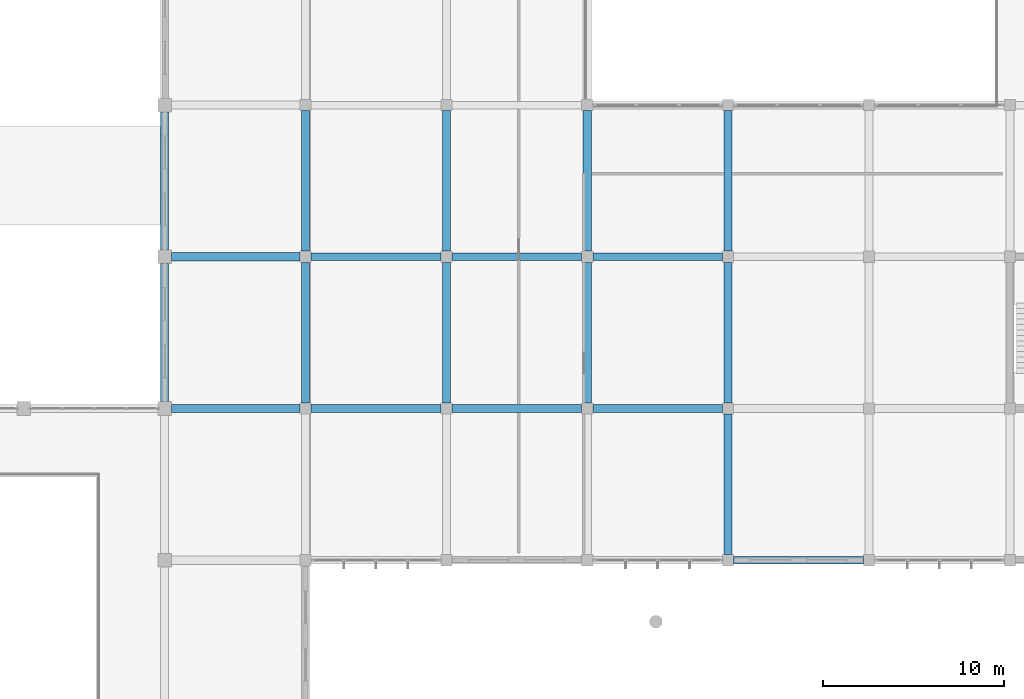
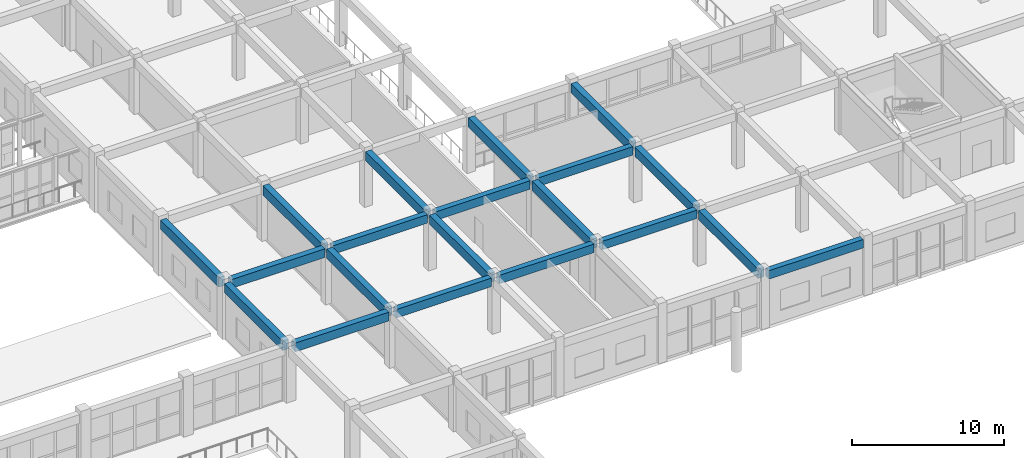
# One storey, part 88 of 167: 20 beams.
"""IFC4 building model written with IfcOpenShell, lengths in metres."""

from ifc_helpers import new_model, si_unit, direction, frame, origin, origin_2d, place, context, subcontext, project, spatial, rectangle, extrude, material, material_profile, profile_set, type_object, element, save


model = new_model("IFC4")

# Units and contexts
model_context = context("Model", 3, precision=1e-05, world=origin(), true_north=direction((0.0, 1.0)))
body_context = subcontext(model_context, "Body", "Model", "MODEL_VIEW")
ifc_project = project(units=[si_unit("LENGTHUNIT", "METRE"), si_unit("AREAUNIT", "SQUARE_METRE"), si_unit("VOLUMEUNIT", "CUBIC_METRE"), si_unit("PLANEANGLEUNIT", "RADIAN"), si_unit("MASSUNIT", "GRAM", prefix="KILO")], contexts=[model_context])

# Site, building, storey
site_placement = place(None, origin())
site = spatial("IfcSite", under=ifc_project, at=site_placement, CompositionType="ELEMENT")
building_placement = place(site_placement, origin())
building = spatial("IfcBuilding", under=site, at=building_placement, Name="Zizhar Promenade General Hospital", CompositionType="ELEMENT")
storey_placement = place(building_placement, frame((0.0, 0.0, 9.60009765625)))
storey = spatial("IfcBuildingStorey", under=building, at=storey_placement, Name="L02", CompositionType="ELEMENT", Elevation=9.60009765625)

# Beams
ifc_material_1 = material(Name="Concrete C35/45", Category="concrete")
ifc_material_profile_1 = material_profile(ifc_material_1, rectangle(XDim=0.419921875, YDim=0.679931640625, at=origin_2d()))
ifc_profile_set_1 = profile_set([ifc_material_profile_1], Name="Concrete C35/45")
beam_type_1 = type_object("IfcBeamType", Name="BM-RC-420x680", PredefinedType="JOIST", material=ifc_profile_set_1)
for number, where, z_axis, x_axis, name in (
    (1, (132.909912109375, 50.39990234375, 4.1298828125), (1.0, 0.0, 0.0), (0.0, 1.0, 0.0), "Grid Beam X L02 (17-6)"),
    (2, (132.909912109375, 58.800048828125, 4.1298828125), (1.0, 0.0, 0.0), (0.0, 1.0, 0.0), "Grid Beam X L02 (17-7)"),
):
    element("IfcBeam", number, at=place(storey_placement, frame(where, z_axis=z_axis, x_axis=x_axis)), inside=storey, type_object=beam_type_1, Name=name, PredefinedType="JOIST", context=body_context, shape_type="SweptSolid", body=[
        extrude(rectangle(XDim=0.419921875, YDim=0.679931640625, at=origin_2d()), origin(), (0.0, 0.0, 1.0), 7.18017578125),
    ])
for number, where, z_axis, x_axis, name in (
    (3, (140.7099609375, 50.39990234375, 4.1298828125), (1.0, 0.0, 0.0), (0.0, 1.0, 0.0), "Grid Beam X L02 (18-6)"),
    (4, (140.7099609375, 58.800048828125, 4.1298828125), (1.0, 0.0, 0.0), (0.0, 1.0, 0.0), "Grid Beam X L02 (18-7)"),
    (5, (148.510009765625, 50.39990234375, 4.1298828125), (1.0, 0.0, 0.0), (0.0, 1.0, 0.0), "Grid Beam X L02 (19-6)"),
    (6, (148.510009765625, 58.800048828125, 4.1298828125), (1.0, 0.0, 0.0), (0.0, 1.0, 0.0), "Grid Beam X L02 (19-7)"),
    (7, (156.31005859375, 42.0, 4.1298828125), (1.0, 0.0, 0.0), (0.0, 1.0, 0.0), "Grid Beam X L02 (20-5)"),
):
    element("IfcBeam", number, at=place(storey_placement, frame(where, z_axis=z_axis, x_axis=x_axis)), inside=storey, type_object=beam_type_1, Name=name, PredefinedType="JOIST", context=body_context, shape_type="SweptSolid", body=[
        extrude(rectangle(XDim=0.419921875, YDim=0.679931640625, at=origin_2d()), origin(), (0.0, 0.0, 1.0), 7.179931640625),
    ])
ifc_material_2 = material(Name="Concrete C35/45", Category="concrete")
ifc_material_profile_2 = material_profile(ifc_material_2, rectangle(XDim=0.449951171875, YDim=0.699951171875, at=origin_2d()))
ifc_profile_set_2 = profile_set([ifc_material_profile_2], Name="Concrete C35/45")
beam_type_2 = type_object("IfcBeamType", Name="BM-RC-450x700", PredefinedType="BEAM", material=ifc_profile_set_2)
for number, where, z_axis, x_axis, name in (
    (8, (125.175048828125, 50.39990234375, 4.119873046875), (1.0, 0.0, 0.0), (0.0, 1.0, 0.0), "Grid Beam X L02 (16-6)"),
    (9, (125.175048828125, 58.800048828125, 4.119873046875), (1.0, 0.0, 0.0), (0.0, 1.0, 0.0), "Grid Beam X L02 (16-7)"),
):
    element("IfcBeam", number, at=place(storey_placement, frame(where, z_axis=z_axis, x_axis=x_axis)), inside=storey, type_object=beam_type_2, Name=name, PredefinedType="BEAM", context=body_context, shape_type="SweptSolid", body=[
        extrude(rectangle(XDim=0.449951171875, YDim=0.699951171875, at=origin_2d()), origin(), (0.0, 0.0, 1.0), 7.114990234375),
    ])
ifc_material_3 = material(Name="Concrete C35/45", Category="concrete")
ifc_material_profile_3 = material_profile(ifc_material_3, rectangle(XDim=0.449951171875, YDim=0.75, at=origin_2d()))
ifc_profile_set_3 = profile_set([ifc_material_profile_3], Name="Concrete C35/45")
beam_type_3 = type_object("IfcBeamType", Name="BM-RC-450x750", PredefinedType="BEAM", material=ifc_profile_set_3)
beam_1_placement = place(storey_placement, frame((124.800048828125, 50.77490234375, 4.094970703125), z_axis=(0.0, 1.0, 0.0), x_axis=(-1.0, 0.0, 0.0)))
element("IfcBeam", 10, at=beam_1_placement, inside=storey, type_object=beam_type_3, Name="Grid Beam Y L02 (16-6)", PredefinedType="BEAM", context=body_context, shape_type="SweptSolid", body=[
    extrude(rectangle(XDim=0.449951171875, YDim=0.75, at=origin_2d()), origin(), (0.0, 0.0, 1.0), 7.650146484375),
])
beam_2_placement = place(storey_placement, frame((124.800048828125, 59.175048828125, 4.094970703125), z_axis=(0.0, 1.0, 0.0), x_axis=(-1.0, 0.0, 0.0)))
element("IfcBeam", 11, at=beam_2_placement, inside=storey, type_object=beam_type_3, Name="Grid Beam Y L02 (16-7)", PredefinedType="BEAM", context=body_context, shape_type="SweptSolid", body=[
    extrude(rectangle(XDim=0.449951171875, YDim=0.75, at=origin_2d()), origin(), (0.0, 0.0, 1.0), 7.64990234375),
])
beam_3_placement = place(storey_placement, frame((132.60009765625, 50.7099609375, 4.094970703125), z_axis=(0.0, 1.0, 0.0), x_axis=(-1.0, 0.0, 0.0)))
element("IfcBeam", 12, at=beam_3_placement, inside=storey, type_object=beam_type_3, Name="Grid Beam Y L02 (17-6)", PredefinedType="BEAM", context=body_context, shape_type="SweptSolid", body=[
    extrude(rectangle(XDim=0.449951171875, YDim=0.75, at=origin_2d()), origin(), (0.0, 0.0, 1.0), 7.780029296875),
])
beam_4_placement = place(storey_placement, frame((132.60009765625, 59.110107421875, 4.094970703125), z_axis=(0.0, 1.0, 0.0), x_axis=(-1.0, 0.0, 0.0)))
element("IfcBeam", 13, at=beam_4_placement, inside=storey, type_object=beam_type_3, Name="Grid Beam Y L02 (17-7)", PredefinedType="BEAM", context=body_context, shape_type="SweptSolid", body=[
    extrude(rectangle(XDim=0.449951171875, YDim=0.75, at=origin_2d()), origin(), (0.0, 0.0, 1.0), 7.77978515625),
])
beam_5_placement = place(storey_placement, frame((140.39990234375, 50.7099609375, 4.094970703125), z_axis=(0.0, 1.0, 0.0), x_axis=(-1.0, 0.0, 0.0)))
element("IfcBeam", 14, at=beam_5_placement, inside=storey, type_object=beam_type_3, Name="Grid Beam Y L02 (18-6)", PredefinedType="BEAM", context=body_context, shape_type="SweptSolid", body=[
    extrude(rectangle(XDim=0.449951171875, YDim=0.75, at=origin_2d()), origin(), (0.0, 0.0, 1.0), 7.780029296875),
])
beam_6_placement = place(storey_placement, frame((140.39990234375, 59.110107421875, 4.094970703125), z_axis=(0.0, 1.0, 0.0), x_axis=(-1.0, 0.0, 0.0)))
element("IfcBeam", 15, at=beam_6_placement, inside=storey, type_object=beam_type_3, Name="Grid Beam Y L02 (18-7)", PredefinedType="BEAM", context=body_context, shape_type="SweptSolid", body=[
    extrude(rectangle(XDim=0.449951171875, YDim=0.75, at=origin_2d()), origin(), (0.0, 0.0, 1.0), 7.77978515625),
])
beam_7_placement = place(storey_placement, frame((148.199951171875, 50.7099609375, 4.094970703125), z_axis=(0.0, 1.0, 0.0), x_axis=(-1.0, 0.0, 0.0)))
element("IfcBeam", 16, at=beam_7_placement, inside=storey, type_object=beam_type_3, Name="Grid Beam Y L02 (19-6)", PredefinedType="BEAM", context=body_context, shape_type="SweptSolid", body=[
    extrude(rectangle(XDim=0.449951171875, YDim=0.75, at=origin_2d()), origin(), (0.0, 0.0, 1.0), 7.780029296875),
])
beam_8_placement = place(storey_placement, frame((148.199951171875, 59.110107421875, 4.094970703125), z_axis=(0.0, 1.0, 0.0), x_axis=(-1.0, 0.0, 0.0)))
element("IfcBeam", 17, at=beam_8_placement, inside=storey, type_object=beam_type_3, Name="Grid Beam Y L02 (19-7)", PredefinedType="BEAM", context=body_context, shape_type="SweptSolid", body=[
    extrude(rectangle(XDim=0.449951171875, YDim=0.75, at=origin_2d()), origin(), (0.0, 0.0, 1.0), 7.77978515625),
])
for number, where, z_axis, x_axis, name in (
    (18, (156.0, 42.31005859375, 4.094970703125), (0.0, 1.0, 0.0), (-1.0, 0.0, 0.0), "Grid Beam Y L02 (20-5)"),
    (19, (156.0, 50.7099609375, 4.094970703125), (0.0, 1.0, 0.0), (-1.0, 0.0, 0.0), "Grid Beam Y L02 (20-6)"),
):
    element("IfcBeam", number, at=place(storey_placement, frame(where, z_axis=z_axis, x_axis=x_axis)), inside=storey, type_object=beam_type_3, Name=name, PredefinedType="BEAM", context=body_context, shape_type="SweptSolid", body=[
        extrude(rectangle(XDim=0.449951171875, YDim=0.75, at=origin_2d()), origin(), (0.0, 0.0, 1.0), 7.780029296875),
    ])
beam_9_placement = place(storey_placement, frame((156.0, 59.110107421875, 4.094970703125), z_axis=(0.0, 1.0, 0.0), x_axis=(-1.0, 0.0, 0.0)))
element("IfcBeam", 20, at=beam_9_placement, inside=storey, type_object=beam_type_3, Name="Grid Beam Y L02 (20-7)", PredefinedType="BEAM", context=body_context, shape_type="SweptSolid", body=[
    extrude(rectangle(XDim=0.449951171875, YDim=0.75, at=origin_2d()), origin(), (0.0, 0.0, 1.0), 7.77978515625),
])

save(model, "model.ifc")
